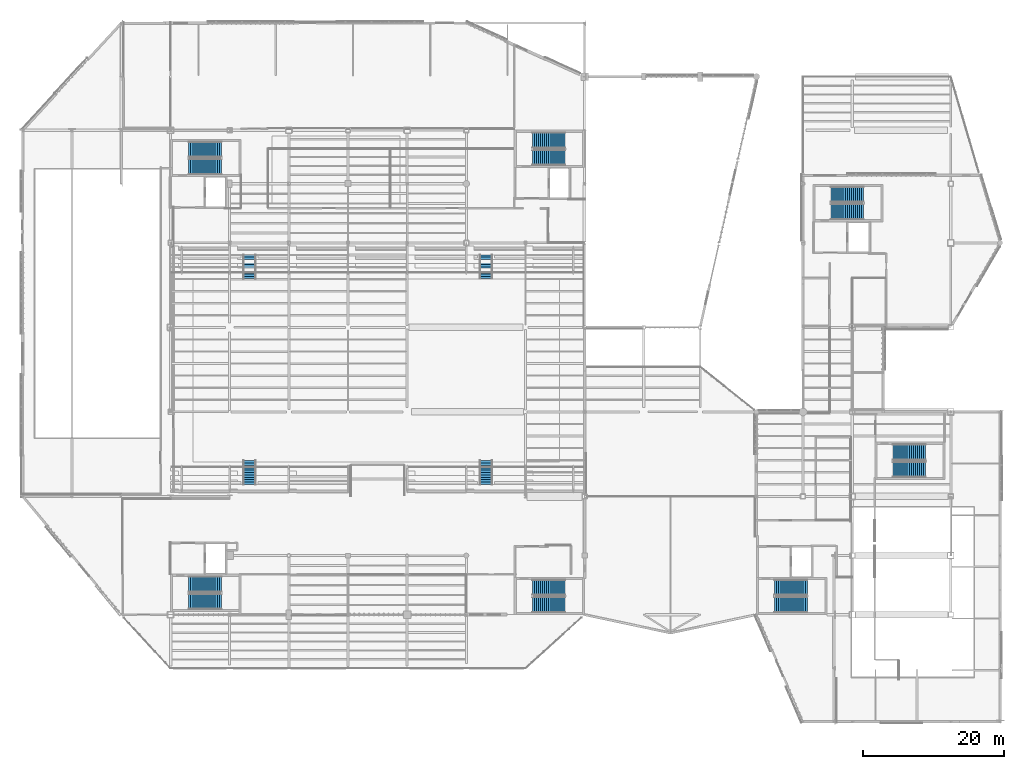
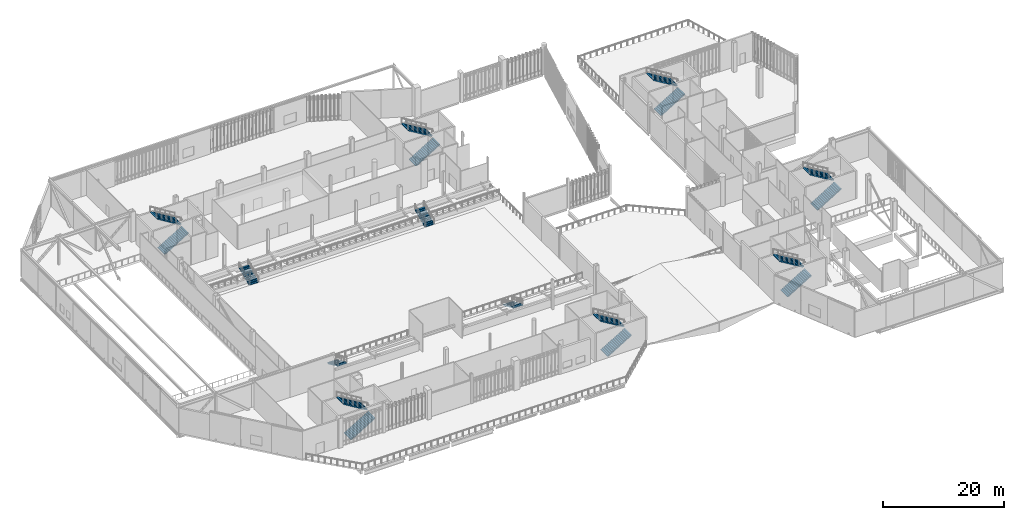
# One storey, part 115 of 135: 18 stair flights, 11 elements without a shape of their own.
"""IFC4 building model written with IfcOpenShell, lengths in metres."""

import ifcopenshell
import ifcopenshell.guid

model = None  # the IFC model being written
_history = None  # IfcOwnerHistory: only IFC2X3 demands one
_inside = {}  # id of a spatial element -> (the spatial element, [elements in it])
_under = {}  # id of a project, library or spatial element -> (it, [spatial elements below it])
_declared = {}  # id of a project -> (the project, [libraries it declares])
_typed = {}  # id of a type object -> (the type object, [elements of that type])
_made_of = {}  # id of a material, layer set ... -> (it, [elements and type objects made of it])


def new_model(schema):
    """Start an empty IFC model of exactly this schema.

    Asked for "IFC4X3", IfcOpenShell would pick the latest addendum, in which some entities
    have other attributes; the version numbers below select the first issue.
    IFC2X3 requires an IfcOwnerHistory on every rooted entity: one is made here for all.
    """
    global model, _history
    if schema == "IFC4X3":
        model = ifcopenshell.file(schema_version=(4, 3, 0, 0))
    else:
        model = ifcopenshell.file(schema=schema)
    _inside.clear()
    _under.clear()
    _declared.clear()
    _typed.clear()
    _made_of.clear()
    _history = None
    if model.schema == "IFC2X3":
        org = make("IfcOrganization", Name="unknown")
        user = make(
            "IfcPersonAndOrganization",
            ThePerson=make("IfcPerson", FamilyName="unknown"),
            TheOrganization=org,
        )
        app = make(
            "IfcApplication",
            ApplicationDeveloper=org,
            Version="unknown",
            ApplicationFullName="unknown",
            ApplicationIdentifier="unknown",
        )
        _history = make(
            "IfcOwnerHistory",
            OwningUser=user,
            OwningApplication=app,
            ChangeAction="ADDED",
            CreationDate=0,
        )
    return model


def make(cls, **values):
    """One entity of the class cls with the attributes given. An attribute that is None is left unset."""
    return model.create_entity(
        cls, **{name: value for name, value in values.items() if value is not None}
    )


def rooted(cls, **values):
    """An entity with a GlobalId (a new one), such as an element, a storey or a relation."""
    return make(cls, GlobalId=ifcopenshell.guid.new(), OwnerHistory=_history, **values)


def si_unit(unit_type, name, prefix=None):
    """IfcSIUnit, for example si_unit("LENGTHUNIT", "METRE", prefix="MILLI")."""
    return make("IfcSIUnit", UnitType=unit_type, Prefix=prefix, Name=name)


def assignment(units):
    """IfcUnitAssignment: the units of a project."""
    return None if units is None else make("IfcUnitAssignment", Units=units)


def point(xyz):
    """IfcCartesianPoint."""
    return None if xyz is None else make("IfcCartesianPoint", Coordinates=xyz)


def direction(xyz):
    """IfcDirection."""
    return None if xyz is None else make("IfcDirection", DirectionRatios=xyz)


def frame(location, z_axis=None, x_axis=None):
    """IfcAxis2Placement3D, a coordinate frame: its origin and axes. An axis left out is left unset."""
    return make(
        "IfcAxis2Placement3D",
        Location=point(location),
        Axis=direction(z_axis),
        RefDirection=direction(x_axis),
    )


def origin():
    """The frame at (0, 0, 0) with its axes left unset."""
    return frame((0.0, 0.0, 0.0))


def place(relative_to, where):
    """IfcLocalPlacement: puts the frame where relative to a parent placement (None: the world)."""
    return make(
        "IfcLocalPlacement", PlacementRelTo=relative_to, RelativePlacement=where
    )


def context(
    kind, dimensions, precision=None, world=None, true_north=None, identifier=None
):
    """IfcGeometricRepresentationContext, for example the 3D "Model" context."""
    return make(
        "IfcGeometricRepresentationContext",
        ContextIdentifier=identifier,
        ContextType=kind,
        CoordinateSpaceDimension=dimensions,
        Precision=precision,
        WorldCoordinateSystem=world,
        TrueNorth=true_north,
    )


def subcontext(parent, identifier, kind, view, scale=None):
    """IfcGeometricRepresentationSubContext, for example "Body" below "Model"."""
    return make(
        "IfcGeometricRepresentationSubContext",
        ContextIdentifier=identifier,
        ContextType=kind,
        ParentContext=parent,
        TargetScale=scale,
        TargetView=view,
    )


def project(units=None, contexts=None):
    """IfcProject with its units and contexts."""
    return rooted(
        "IfcProject",
        Name="project",
        RepresentationContexts=contexts,
        UnitsInContext=assignment(units),
    )


def spatial(cls, under=None, at=None, **own):
    """A site, building, storey or space (cls), placed at a placement, below another one or the project."""
    s = rooted(cls, ObjectPlacement=at, **own)
    if under is not None:
        _under.setdefault(under.id(), (under, []))[1].append(s)
    return s


def polyline(points):
    """IfcPolyline through the points."""
    return make("IfcPolyline", Points=[point(p) for p in points])


def outline(outer, holes=None, kind="AREA"):
    """IfcArbitraryClosedProfileDef: a profile drawn as a closed curve; with holes, ...WithVoids."""
    if holes is None:
        return make("IfcArbitraryClosedProfileDef", ProfileType=kind, OuterCurve=outer)
    return make(
        "IfcArbitraryProfileDefWithVoids",
        ProfileType=kind,
        OuterCurve=outer,
        InnerCurves=holes,
    )


def extrude(swept, where, along, depth):
    """IfcExtrudedAreaSolid: the profile swept, set in the frame where, extruded along a direction by depth."""
    return make(
        "IfcExtrudedAreaSolid",
        SweptArea=swept,
        Position=where,
        ExtrudedDirection=direction(along),
        Depth=depth,
    )


def shape(context_of_items, identifier, shape_type, items):
    """IfcShapeRepresentation: the items that make up one representation, for example the "Body"."""
    return make(
        "IfcShapeRepresentation",
        ContextOfItems=context_of_items,
        RepresentationIdentifier=identifier,
        RepresentationType=shape_type,
        Items=items,
    )


def material(Name=None, Category=None):
    """IfcMaterial."""
    return make("IfcMaterial", Name=Name, Category=Category)


def made_of(thing, what):
    """Note that an element or type object is made of a material, layer set ...; save() writes the relation."""
    if what is not None:
        _made_of.setdefault(what.id(), (what, []))[1].append(thing)
    return thing


def type_object(cls, material=None, **own):
    """A type object (cls), such as IfcWallType, which elements share."""
    return made_of(rooted(cls, **own), material)


def element(
    cls,
    number,
    at=None,
    inside=None,
    cuts=None,
    type_object=None,
    material=None,
    context=None,
    identifier="Body",
    shape_type=None,
    held_by="IfcProductDefinitionShape",
    body=None,
    shapes=None,
    **own,
):
    """One element of the class cls, such as IfcWall. Its Tag is "e" and its number.

    at: its placement. inside: the storey or other place that contains it. cuts: it is an
    opening in that element (IfcRelVoidsElement). A single representation is given by context,
    identifier, shape_type and body (its items); several are given by shapes. held_by: the class
    of the entity that holds the representations. save() writes the other relations.
    """
    e = rooted(cls, Tag="e%d" % number, ObjectPlacement=at, **own)
    if body is not None:
        shapes = [shape(context, identifier, shape_type, body)]
    if shapes is not None:
        e.Representation = make(held_by, Representations=shapes)
    if inside is not None:
        _inside.setdefault(inside.id(), (inside, []))[1].append(e)
    if cuts is not None:
        rooted(
            "IfcRelVoidsElement", RelatingBuildingElement=cuts, RelatedOpeningElement=e
        )
    if type_object is not None:
        _typed.setdefault(type_object.id(), (type_object, []))[1].append(e)
    return made_of(e, material)


def aggregate(whole, parts):
    """IfcRelAggregates: a whole, such as a stair, and the parts it consists of."""
    return rooted("IfcRelAggregates", RelatingObject=whole, RelatedObjects=parts)


def save(model, path):
    """Write the relations noted so far, then the file.

    IfcRelAggregates (storeys below a building ...), IfcRelContainedInSpatialStructure (elements
    in a storey), IfcRelDefinesByType, IfcRelAssociatesMaterial and IfcRelDeclares: one each for
    every whole, place, type object, material and project.
    """
    for whole, parts in _under.values():
        aggregate(whole, parts)
    for where, things in _inside.values():
        rooted(
            "IfcRelContainedInSpatialStructure",
            RelatedElements=things,
            RelatingStructure=where,
        )
    for kind, things in _typed.values():
        rooted("IfcRelDefinesByType", RelatedObjects=things, RelatingType=kind)
    for what, things in _made_of.values():
        rooted("IfcRelAssociatesMaterial", RelatedObjects=things, RelatingMaterial=what)
    for by, libraries in _declared.values():
        rooted("IfcRelDeclares", RelatingContext=by, RelatedDefinitions=libraries)
    model.write(path)


model = new_model("IFC4")

# Units and contexts
model_context = context("Model", 3, precision=1e-05, world=origin(), true_north=direction((0.0, 1.0)))
body_context = subcontext(model_context, "Body", "Model", "MODEL_VIEW")
ifc_project = project(units=[si_unit("LENGTHUNIT", "METRE"), si_unit("AREAUNIT", "SQUARE_METRE"), si_unit("VOLUMEUNIT", "CUBIC_METRE"), si_unit("PLANEANGLEUNIT", "RADIAN"), si_unit("MASSUNIT", "GRAM", prefix="KILO")], contexts=[model_context])

# Site, building, storey
site_placement = place(None, origin())
site = spatial("IfcSite", under=ifc_project, at=site_placement, CompositionType="ELEMENT")
building_placement = place(site_placement, origin())
building = spatial("IfcBuilding", under=site, at=building_placement, Name="Larkvane Passage Sports Hall", CompositionType="ELEMENT")
storey_placement = place(building_placement, frame((0.0, 0.0, 10.800048828125)))
storey = spatial("IfcBuildingStorey", under=building, at=storey_placement, Name="L02", CompositionType="ELEMENT", Elevation=10.800048828125)

# Stair, stair flight
ifc_material = material(Name="Concrete C40/50", Category="concrete")
stair_type_1 = type_object("IfcStairType", Name="STR-BLEACH-1800", PredefinedType="STRAIGHT_RUN_STAIR", material=ifc_material)
stair_1_placement = place(storey_placement, origin())
stair_1 = element("IfcStair", 1, at=stair_1_placement, inside=storey, type_object=stair_type_1, Name="Arena spectator stepped aisle stair ST-B1", PredefinedType="STRAIGHT_RUN_STAIR")
stair_flight_type_1 = type_object("IfcStairFlightType", Name="SFL-RC-1800", PredefinedType="STRAIGHT", material=ifc_material)
stair_flight_1_placement = place(storey_placement, frame((46.0, 44.68994140625, 0.0), z_axis=(0.0, 0.0, 1.0), x_axis=(0.0, -1.0, 0.0)))
stair_flight_1 = element("IfcStairFlight", 2, at=stair_flight_1_placement, type_object=stair_flight_type_1, Name="ST-B1 flight 1", NumberOfRisers=11, NumberOfTreads=10, PredefinedType="STRAIGHT", RiserHeight=0.153636, TreadLength=0.34, context=body_context, shape_type="SweptSolid", body=[
    extrude(outline(polyline([(0.0, 0.0), (0.0, 0.153564453125), (0.340087890625, 0.153564453125), (0.340087890625, 0.307373046875), (0.679931640625, 0.307373046875), (0.679931640625, 0.4609375), (1.02001953125, 0.4609375), (1.02001953125, 0.614501953125), (1.360107421875, 0.614501953125), (1.360107421875, 0.76806640625), (1.699951171875, 0.76806640625), (1.699951171875, 0.921875), (2.0400390625, 0.921875), (2.0400390625, 1.075439453125), (2.3798828125, 1.075439453125), (2.3798828125, 1.22900390625), (2.719970703125, 1.22900390625), (2.719970703125, 1.3828125), (3.06005859375, 1.3828125), (3.06005859375, 1.536376953125), (3.39990234375, 1.536376953125), (3.39990234375, 1.68994140625), (3.39990234375, 1.36083984375), (0.388427734375, 0.0), (0.0, 0.0)])), frame((0.0, 0.89990234375, 0.0), z_axis=(0.0, -1.0, 0.0), x_axis=(1.0, 0.0, 0.0)), (0.0, 0.0, 1.0), 1.800048828125),
])
aggregate(stair_1, [stair_flight_1])

stair_2_placement = place(storey_placement, origin())
stair_2 = element("IfcStair", 3, at=stair_2_placement, inside=storey, type_object=stair_type_1, Name="Arena spectator stepped aisle stair ST-B2", PredefinedType="STRAIGHT_RUN_STAIR")
stair_flight_2_placement = place(storey_placement, frame((79.60009765625, 44.68994140625, 0.0), z_axis=(0.0, 0.0, 1.0), x_axis=(0.0, -1.0, 0.0)))
stair_flight_2 = element("IfcStairFlight", 4, at=stair_flight_2_placement, type_object=stair_flight_type_1, Name="ST-B2 flight 1", NumberOfRisers=11, NumberOfTreads=10, PredefinedType="STRAIGHT", RiserHeight=0.153636, TreadLength=0.34, context=body_context, shape_type="SweptSolid", body=[
    extrude(outline(polyline([(0.0, 0.0), (0.0, 0.153564453125), (0.340087890625, 0.153564453125), (0.340087890625, 0.307373046875), (0.679931640625, 0.307373046875), (0.679931640625, 0.4609375), (1.02001953125, 0.4609375), (1.02001953125, 0.614501953125), (1.360107421875, 0.614501953125), (1.360107421875, 0.76806640625), (1.699951171875, 0.76806640625), (1.699951171875, 0.921875), (2.0400390625, 0.921875), (2.0400390625, 1.075439453125), (2.3798828125, 1.075439453125), (2.3798828125, 1.22900390625), (2.719970703125, 1.22900390625), (2.719970703125, 1.3828125), (3.06005859375, 1.3828125), (3.06005859375, 1.536376953125), (3.39990234375, 1.536376953125), (3.39990234375, 1.68994140625), (3.39990234375, 1.36083984375), (0.388427734375, 0.0), (0.0, 0.0)])), frame((0.0, 0.89990234375, 0.0), z_axis=(0.0, -1.0, 0.0), x_axis=(1.0, 0.0, 0.0)), (0.0, 0.0, 1.0), 1.800048828125),
])
aggregate(stair_2, [stair_flight_2])

stair_3_placement = place(storey_placement, origin())
stair_3 = element("IfcStair", 5, at=stair_3_placement, inside=storey, type_object=stair_type_1, Name="Arena spectator stepped aisle stair ST-B3", PredefinedType="STRAIGHT_RUN_STAIR")
stair_flight_3_placement = place(storey_placement, frame((46.0, 70.510009765625, 0.0), z_axis=(0.0, 0.0, 1.0), x_axis=(0.0, 1.0, 0.0)))
stair_flight_3 = element("IfcStairFlight", 6, at=stair_flight_3_placement, type_object=stair_flight_type_1, Name="ST-B3 flight 1", NumberOfRisers=11, NumberOfTreads=10, PredefinedType="STRAIGHT", RiserHeight=0.153636, TreadLength=0.34, context=body_context, shape_type="SweptSolid", body=[
    extrude(outline(polyline([(0.0, 0.0), (0.0, 0.153564453125), (0.340087890625, 0.153564453125), (0.340087890625, 0.307373046875), (0.679931640625, 0.307373046875), (0.679931640625, 0.4609375), (1.02001953125, 0.4609375), (1.02001953125, 0.614501953125), (1.360107421875, 0.614501953125), (1.360107421875, 0.76806640625), (1.699951171875, 0.76806640625), (1.699951171875, 0.921875), (2.0400390625, 0.921875), (2.0400390625, 1.075439453125), (2.3798828125, 1.075439453125), (2.3798828125, 1.22900390625), (2.719970703125, 1.22900390625), (2.719970703125, 1.3828125), (3.06005859375, 1.3828125), (3.06005859375, 1.536376953125), (3.39990234375, 1.536376953125), (3.39990234375, 1.68994140625), (3.39990234375, 1.36083984375), (0.388427734375, 0.0), (0.0, 0.0)])), frame((0.0, 0.89990234375, 0.0), z_axis=(0.0, -1.0, 0.0), x_axis=(1.0, 0.0, 0.0)), (0.0, 0.0, 1.0), 1.800048828125),
])
aggregate(stair_3, [stair_flight_3])

stair_4_placement = place(storey_placement, origin())
stair_4 = element("IfcStair", 7, at=stair_4_placement, inside=storey, type_object=stair_type_1, Name="Arena spectator stepped aisle stair ST-B4", PredefinedType="STRAIGHT_RUN_STAIR")
stair_flight_4_placement = place(storey_placement, frame((79.60009765625, 70.510009765625, 0.0), z_axis=(0.0, 0.0, 1.0), x_axis=(0.0, 1.0, 0.0)))
stair_flight_4 = element("IfcStairFlight", 8, at=stair_flight_4_placement, type_object=stair_flight_type_1, Name="ST-B4 flight 1", NumberOfRisers=11, NumberOfTreads=10, PredefinedType="STRAIGHT", RiserHeight=0.153636, TreadLength=0.34, context=body_context, shape_type="SweptSolid", body=[
    extrude(outline(polyline([(0.0, 0.0), (0.0, 0.153564453125), (0.340087890625, 0.153564453125), (0.340087890625, 0.307373046875), (0.679931640625, 0.307373046875), (0.679931640625, 0.4609375), (1.02001953125, 0.4609375), (1.02001953125, 0.614501953125), (1.360107421875, 0.614501953125), (1.360107421875, 0.76806640625), (1.699951171875, 0.76806640625), (1.699951171875, 0.921875), (2.0400390625, 0.921875), (2.0400390625, 1.075439453125), (2.3798828125, 1.075439453125), (2.3798828125, 1.22900390625), (2.719970703125, 1.22900390625), (2.719970703125, 1.3828125), (3.06005859375, 1.3828125), (3.06005859375, 1.536376953125), (3.39990234375, 1.536376953125), (3.39990234375, 1.68994140625), (3.39990234375, 1.36083984375), (0.388427734375, 0.0), (0.0, 0.0)])), frame((0.0, 0.89990234375, 0.0), z_axis=(0.0, -1.0, 0.0), x_axis=(1.0, 0.0, 0.0)), (0.0, 0.0, 1.0), 1.800048828125),
])
aggregate(stair_4, [stair_flight_4])

# Stair, stair flights
stair_type_2 = type_object("IfcStairType", Name="STR-CORE-2250", PredefinedType="HALF_TURN_STAIR", material=ifc_material)
stair_5_placement = place(storey_placement, origin())
stair_5 = element("IfcStair", 9, at=stair_5_placement, inside=storey, type_object=stair_type_2, Name="L02 Protected exit stair ST-01", PredefinedType="HALF_TURN_STAIR")
stair_flight_type_2 = type_object("IfcStairFlightType", Name="SFL-RC-2250", PredefinedType="STRAIGHT", material=ifc_material)
stair_flight_5_placement = place(storey_placement, frame((37.3798828125, 24.675048828125, 0.0), z_axis=(0.0, 0.0, 1.0), x_axis=(1.0, 0.0, 0.0)))
stair_flight_5 = element("IfcStairFlight", 10, at=stair_flight_5_placement, type_object=stair_flight_type_2, Name="ST-01 flight 1", NumberOfRisers=17, NumberOfTreads=16, PredefinedType="STRAIGHT", RiserHeight=0.176470588, TreadLength=0.29, context=body_context, shape_type="SweptSolid", body=[
    extrude(outline(polyline([(0.0, 0.0), (0.0, 0.176513671875), (0.2900390625, 0.176513671875), (0.2900390625, 0.35302734375), (0.580078125, 0.35302734375), (0.580078125, 0.529296875), (0.8701171875, 0.529296875), (0.8701171875, 0.705810546875), (1.159912109375, 0.705810546875), (1.159912109375, 0.88232421875), (1.449951171875, 0.88232421875), (1.449951171875, 1.058837890625), (1.739990234375, 1.058837890625), (1.739990234375, 1.2353515625), (2.030029296875, 1.2353515625), (2.030029296875, 1.411865234375), (2.320068359375, 1.411865234375), (2.320068359375, 1.588134765625), (2.610107421875, 1.588134765625), (2.610107421875, 1.7646484375), (2.89990234375, 1.7646484375), (2.89990234375, 1.941162109375), (3.18994140625, 1.941162109375), (3.18994140625, 2.11767578125), (3.47998046875, 2.11767578125), (3.47998046875, 2.294189453125), (3.77001953125, 2.294189453125), (3.77001953125, 2.470703125), (4.06005859375, 2.470703125), (4.06005859375, 2.64697265625), (4.35009765625, 2.64697265625), (4.35009765625, 2.823486328125), (4.639892578125, 2.823486328125), (4.639892578125, 3.0), (4.639892578125, 2.63623046875), (0.3076171875, 0.0), (0.0, 0.0)])), frame((0.0, 1.125, 0.0), z_axis=(0.0, -1.0, 0.0), x_axis=(1.0, 0.0, 0.0)), (0.0, 0.0, 1.0), 2.25),
])
stair_flight_6_placement = place(storey_placement, frame((42.02001953125, 27.125, 3.0), z_axis=(0.0, 0.0, 1.0), x_axis=(-1.0, 0.0, 0.0)))
stair_flight_6 = element("IfcStairFlight", 11, at=stair_flight_6_placement, type_object=stair_flight_type_2, Name="ST-01 flight 2", NumberOfRisers=17, NumberOfTreads=16, PredefinedType="STRAIGHT", RiserHeight=0.176470588, TreadLength=0.29, context=body_context, shape_type="SweptSolid", body=[
    extrude(outline(polyline([(0.0, 0.0), (0.0, 0.176513671875), (0.2900390625, 0.176513671875), (0.2900390625, 0.35302734375), (0.580078125, 0.35302734375), (0.580078125, 0.529296875), (0.8701171875, 0.529296875), (0.8701171875, 0.705810546875), (1.159912109375, 0.705810546875), (1.159912109375, 0.88232421875), (1.449951171875, 0.88232421875), (1.449951171875, 1.058837890625), (1.739990234375, 1.058837890625), (1.739990234375, 1.2353515625), (2.030029296875, 1.2353515625), (2.030029296875, 1.411865234375), (2.320068359375, 1.411865234375), (2.320068359375, 1.588134765625), (2.610107421875, 1.588134765625), (2.610107421875, 1.7646484375), (2.89990234375, 1.7646484375), (2.89990234375, 1.941162109375), (3.18994140625, 1.941162109375), (3.18994140625, 2.11767578125), (3.47998046875, 2.11767578125), (3.47998046875, 2.294189453125), (3.77001953125, 2.294189453125), (3.77001953125, 2.470703125), (4.06005859375, 2.470703125), (4.06005859375, 2.64697265625), (4.35009765625, 2.64697265625), (4.35009765625, 2.823486328125), (4.639892578125, 2.823486328125), (4.639892578125, 3.0), (4.639892578125, 2.63623046875), (0.3076171875, 0.0), (0.0, 0.0)])), frame((0.0, 1.125, 0.0), z_axis=(0.0, -1.0, 0.0), x_axis=(1.0, 0.0, 0.0)), (0.0, 0.0, 1.0), 2.25),
])
aggregate(stair_5, [stair_flight_5, stair_flight_6])

stair_6_placement = place(storey_placement, origin())
stair_6 = element("IfcStair", 12, at=stair_6_placement, inside=storey, type_object=stair_type_2, Name="L02 Protected exit stair ST-02", PredefinedType="HALF_TURN_STAIR")
stair_flight_7_placement = place(storey_placement, frame((37.3798828125, 86.425048828125, 0.0), z_axis=(0.0, 0.0, 1.0), x_axis=(1.0, 0.0, 0.0)))
stair_flight_7 = element("IfcStairFlight", 13, at=stair_flight_7_placement, type_object=stair_flight_type_2, Name="ST-02 flight 1", NumberOfRisers=17, NumberOfTreads=16, PredefinedType="STRAIGHT", RiserHeight=0.176470588, TreadLength=0.29, context=body_context, shape_type="SweptSolid", body=[
    extrude(outline(polyline([(0.0, 0.0), (0.0, 0.176513671875), (0.2900390625, 0.176513671875), (0.2900390625, 0.35302734375), (0.580078125, 0.35302734375), (0.580078125, 0.529296875), (0.8701171875, 0.529296875), (0.8701171875, 0.705810546875), (1.159912109375, 0.705810546875), (1.159912109375, 0.88232421875), (1.449951171875, 0.88232421875), (1.449951171875, 1.058837890625), (1.739990234375, 1.058837890625), (1.739990234375, 1.2353515625), (2.030029296875, 1.2353515625), (2.030029296875, 1.411865234375), (2.320068359375, 1.411865234375), (2.320068359375, 1.588134765625), (2.610107421875, 1.588134765625), (2.610107421875, 1.7646484375), (2.89990234375, 1.7646484375), (2.89990234375, 1.941162109375), (3.18994140625, 1.941162109375), (3.18994140625, 2.11767578125), (3.47998046875, 2.11767578125), (3.47998046875, 2.294189453125), (3.77001953125, 2.294189453125), (3.77001953125, 2.470703125), (4.06005859375, 2.470703125), (4.06005859375, 2.64697265625), (4.35009765625, 2.64697265625), (4.35009765625, 2.823486328125), (4.639892578125, 2.823486328125), (4.639892578125, 3.0), (4.639892578125, 2.63623046875), (0.3076171875, 0.0), (0.0, 0.0)])), frame((0.0, 1.125, 0.0), z_axis=(0.0, -1.0, 0.0), x_axis=(1.0, 0.0, 0.0)), (0.0, 0.0, 1.0), 2.25),
])
stair_flight_8_placement = place(storey_placement, frame((42.02001953125, 88.875, 3.0), z_axis=(0.0, 0.0, 1.0), x_axis=(-1.0, 0.0, 0.0)))
stair_flight_8 = element("IfcStairFlight", 14, at=stair_flight_8_placement, type_object=stair_flight_type_2, Name="ST-02 flight 2", NumberOfRisers=17, NumberOfTreads=16, PredefinedType="STRAIGHT", RiserHeight=0.176470588, TreadLength=0.29, context=body_context, shape_type="SweptSolid", body=[
    extrude(outline(polyline([(0.0, 0.0), (0.0, 0.176513671875), (0.2900390625, 0.176513671875), (0.2900390625, 0.35302734375), (0.580078125, 0.35302734375), (0.580078125, 0.529296875), (0.8701171875, 0.529296875), (0.8701171875, 0.705810546875), (1.159912109375, 0.705810546875), (1.159912109375, 0.88232421875), (1.449951171875, 0.88232421875), (1.449951171875, 1.058837890625), (1.739990234375, 1.058837890625), (1.739990234375, 1.2353515625), (2.030029296875, 1.2353515625), (2.030029296875, 1.411865234375), (2.320068359375, 1.411865234375), (2.320068359375, 1.588134765625), (2.610107421875, 1.588134765625), (2.610107421875, 1.7646484375), (2.89990234375, 1.7646484375), (2.89990234375, 1.941162109375), (3.18994140625, 1.941162109375), (3.18994140625, 2.11767578125), (3.47998046875, 2.11767578125), (3.47998046875, 2.294189453125), (3.77001953125, 2.294189453125), (3.77001953125, 2.470703125), (4.06005859375, 2.470703125), (4.06005859375, 2.64697265625), (4.35009765625, 2.64697265625), (4.35009765625, 2.823486328125), (4.639892578125, 2.823486328125), (4.639892578125, 3.0), (4.639892578125, 2.63623046875), (0.3076171875, 0.0), (0.0, 0.0)])), frame((0.0, 1.125, 0.0), z_axis=(0.0, -1.0, 0.0), x_axis=(1.0, 0.0, 0.0)), (0.0, 0.0, 1.0), 2.25),
])
aggregate(stair_6, [stair_flight_7, stair_flight_8])

stair_7_placement = place(storey_placement, origin())
stair_7 = element("IfcStair", 15, at=stair_7_placement, inside=storey, type_object=stair_type_2, Name="L02 Protected exit stair ST-03", PredefinedType="HALF_TURN_STAIR")
stair_flight_9_placement = place(storey_placement, frame((86.179931640625, 87.72509765625, 0.0), z_axis=(0.0, 0.0, 1.0), x_axis=(1.0, 0.0, 0.0)))
stair_flight_9 = element("IfcStairFlight", 16, at=stair_flight_9_placement, type_object=stair_flight_type_2, Name="ST-03 flight 1", NumberOfRisers=17, NumberOfTreads=16, PredefinedType="STRAIGHT", RiserHeight=0.176470588, TreadLength=0.29, context=body_context, shape_type="SweptSolid", body=[
    extrude(outline(polyline([(0.0, 0.0), (0.0, 0.176513671875), (0.2900390625, 0.176513671875), (0.2900390625, 0.35302734375), (0.580078125, 0.35302734375), (0.580078125, 0.529296875), (0.8701171875, 0.529296875), (0.8701171875, 0.705810546875), (1.159912109375, 0.705810546875), (1.159912109375, 0.88232421875), (1.449951171875, 0.88232421875), (1.449951171875, 1.058837890625), (1.739990234375, 1.058837890625), (1.739990234375, 1.2353515625), (2.030029296875, 1.2353515625), (2.030029296875, 1.411865234375), (2.320068359375, 1.411865234375), (2.320068359375, 1.588134765625), (2.610107421875, 1.588134765625), (2.610107421875, 1.7646484375), (2.89990234375, 1.7646484375), (2.89990234375, 1.941162109375), (3.18994140625, 1.941162109375), (3.18994140625, 2.11767578125), (3.47998046875, 2.11767578125), (3.47998046875, 2.294189453125), (3.77001953125, 2.294189453125), (3.77001953125, 2.470703125), (4.06005859375, 2.470703125), (4.06005859375, 2.64697265625), (4.35009765625, 2.64697265625), (4.35009765625, 2.823486328125), (4.639892578125, 2.823486328125), (4.639892578125, 3.0), (4.639892578125, 2.63623046875), (0.3076171875, 0.0), (0.0, 0.0)])), frame((0.0, 1.125, 0.0), z_axis=(0.0, -1.0, 0.0), x_axis=(1.0, 0.0, 0.0)), (0.0, 0.0, 1.0), 2.25),
])
stair_flight_10_placement = place(storey_placement, frame((90.820068359375, 90.175048828125, 3.0), z_axis=(0.0, 0.0, 1.0), x_axis=(-1.0, 0.0, 0.0)))
stair_flight_10 = element("IfcStairFlight", 17, at=stair_flight_10_placement, type_object=stair_flight_type_2, Name="ST-03 flight 2", NumberOfRisers=17, NumberOfTreads=16, PredefinedType="STRAIGHT", RiserHeight=0.176470588, TreadLength=0.29, context=body_context, shape_type="SweptSolid", body=[
    extrude(outline(polyline([(0.0, 0.0), (0.0, 0.176513671875), (0.2900390625, 0.176513671875), (0.2900390625, 0.35302734375), (0.580078125, 0.35302734375), (0.580078125, 0.529296875), (0.8701171875, 0.529296875), (0.8701171875, 0.705810546875), (1.159912109375, 0.705810546875), (1.159912109375, 0.88232421875), (1.449951171875, 0.88232421875), (1.449951171875, 1.058837890625), (1.739990234375, 1.058837890625), (1.739990234375, 1.2353515625), (2.030029296875, 1.2353515625), (2.030029296875, 1.411865234375), (2.320068359375, 1.411865234375), (2.320068359375, 1.588134765625), (2.610107421875, 1.588134765625), (2.610107421875, 1.7646484375), (2.89990234375, 1.7646484375), (2.89990234375, 1.941162109375), (3.18994140625, 1.941162109375), (3.18994140625, 2.11767578125), (3.47998046875, 2.11767578125), (3.47998046875, 2.294189453125), (3.77001953125, 2.294189453125), (3.77001953125, 2.470703125), (4.06005859375, 2.470703125), (4.06005859375, 2.64697265625), (4.35009765625, 2.64697265625), (4.35009765625, 2.823486328125), (4.639892578125, 2.823486328125), (4.639892578125, 3.0), (4.639892578125, 2.63623046875), (0.3076171875, 0.0), (0.0, 0.0)])), frame((0.0, 1.125, 0.0), z_axis=(0.0, -1.0, 0.0), x_axis=(1.0, 0.0, 0.0)), (0.0, 0.0, 1.0), 2.25),
])
aggregate(stair_7, [stair_flight_9, stair_flight_10])

stair_8_placement = place(storey_placement, origin())
stair_8 = element("IfcStair", 18, at=stair_8_placement, inside=storey, type_object=stair_type_2, Name="L02 Protected exit stair ST-04", PredefinedType="HALF_TURN_STAIR")
stair_flight_11_placement = place(storey_placement, frame((86.179931640625, 24.22509765625, 0.0), z_axis=(0.0, 0.0, 1.0), x_axis=(1.0, 0.0, 0.0)))
stair_flight_11 = element("IfcStairFlight", 19, at=stair_flight_11_placement, type_object=stair_flight_type_2, Name="ST-04 flight 1", NumberOfRisers=17, NumberOfTreads=16, PredefinedType="STRAIGHT", RiserHeight=0.176470588, TreadLength=0.29, context=body_context, shape_type="SweptSolid", body=[
    extrude(outline(polyline([(0.0, 0.0), (0.0, 0.176513671875), (0.2900390625, 0.176513671875), (0.2900390625, 0.35302734375), (0.580078125, 0.35302734375), (0.580078125, 0.529296875), (0.8701171875, 0.529296875), (0.8701171875, 0.705810546875), (1.159912109375, 0.705810546875), (1.159912109375, 0.88232421875), (1.449951171875, 0.88232421875), (1.449951171875, 1.058837890625), (1.739990234375, 1.058837890625), (1.739990234375, 1.2353515625), (2.030029296875, 1.2353515625), (2.030029296875, 1.411865234375), (2.320068359375, 1.411865234375), (2.320068359375, 1.588134765625), (2.610107421875, 1.588134765625), (2.610107421875, 1.7646484375), (2.89990234375, 1.7646484375), (2.89990234375, 1.941162109375), (3.18994140625, 1.941162109375), (3.18994140625, 2.11767578125), (3.47998046875, 2.11767578125), (3.47998046875, 2.294189453125), (3.77001953125, 2.294189453125), (3.77001953125, 2.470703125), (4.06005859375, 2.470703125), (4.06005859375, 2.64697265625), (4.35009765625, 2.64697265625), (4.35009765625, 2.823486328125), (4.639892578125, 2.823486328125), (4.639892578125, 3.0), (4.639892578125, 2.63623046875), (0.3076171875, 0.0), (0.0, 0.0)])), frame((0.0, 1.125, 0.0), z_axis=(0.0, -1.0, 0.0), x_axis=(1.0, 0.0, 0.0)), (0.0, 0.0, 1.0), 2.25),
])
stair_flight_12_placement = place(storey_placement, frame((90.820068359375, 26.675048828125, 3.0), z_axis=(0.0, 0.0, 1.0), x_axis=(-1.0, 0.0, 0.0)))
stair_flight_12 = element("IfcStairFlight", 20, at=stair_flight_12_placement, type_object=stair_flight_type_2, Name="ST-04 flight 2", NumberOfRisers=17, NumberOfTreads=16, PredefinedType="STRAIGHT", RiserHeight=0.176470588, TreadLength=0.29, context=body_context, shape_type="SweptSolid", body=[
    extrude(outline(polyline([(0.0, 0.0), (0.0, 0.176513671875), (0.2900390625, 0.176513671875), (0.2900390625, 0.35302734375), (0.580078125, 0.35302734375), (0.580078125, 0.529296875), (0.8701171875, 0.529296875), (0.8701171875, 0.705810546875), (1.159912109375, 0.705810546875), (1.159912109375, 0.88232421875), (1.449951171875, 0.88232421875), (1.449951171875, 1.058837890625), (1.739990234375, 1.058837890625), (1.739990234375, 1.2353515625), (2.030029296875, 1.2353515625), (2.030029296875, 1.411865234375), (2.320068359375, 1.411865234375), (2.320068359375, 1.588134765625), (2.610107421875, 1.588134765625), (2.610107421875, 1.7646484375), (2.89990234375, 1.7646484375), (2.89990234375, 1.941162109375), (3.18994140625, 1.941162109375), (3.18994140625, 2.11767578125), (3.47998046875, 2.11767578125), (3.47998046875, 2.294189453125), (3.77001953125, 2.294189453125), (3.77001953125, 2.470703125), (4.06005859375, 2.470703125), (4.06005859375, 2.64697265625), (4.35009765625, 2.64697265625), (4.35009765625, 2.823486328125), (4.639892578125, 2.823486328125), (4.639892578125, 3.0), (4.639892578125, 2.63623046875), (0.3076171875, 0.0), (0.0, 0.0)])), frame((0.0, 1.125, 0.0), z_axis=(0.0, -1.0, 0.0), x_axis=(1.0, 0.0, 0.0)), (0.0, 0.0, 1.0), 2.25),
])
aggregate(stair_8, [stair_flight_11, stair_flight_12])

stair_9_placement = place(storey_placement, origin())
stair_9 = element("IfcStair", 21, at=stair_9_placement, inside=storey, type_object=stair_type_2, Name="L02 Protected exit stair ST-05", PredefinedType="HALF_TURN_STAIR")
stair_flight_13_placement = place(storey_placement, frame((120.580078125, 24.22509765625, 0.0), z_axis=(0.0, 0.0, 1.0), x_axis=(1.0, 0.0, 0.0)))
stair_flight_13 = element("IfcStairFlight", 22, at=stair_flight_13_placement, type_object=stair_flight_type_2, Name="ST-05 flight 1", NumberOfRisers=17, NumberOfTreads=16, PredefinedType="STRAIGHT", RiserHeight=0.176470588, TreadLength=0.29, context=body_context, shape_type="SweptSolid", body=[
    extrude(outline(polyline([(0.0, 0.0), (0.0, 0.176513671875), (0.2900390625, 0.176513671875), (0.2900390625, 0.35302734375), (0.580078125, 0.35302734375), (0.580078125, 0.529296875), (0.8701171875, 0.529296875), (0.8701171875, 0.705810546875), (1.159912109375, 0.705810546875), (1.159912109375, 0.88232421875), (1.449951171875, 0.88232421875), (1.449951171875, 1.058837890625), (1.739990234375, 1.058837890625), (1.739990234375, 1.2353515625), (2.030029296875, 1.2353515625), (2.030029296875, 1.411865234375), (2.320068359375, 1.411865234375), (2.320068359375, 1.588134765625), (2.610107421875, 1.588134765625), (2.610107421875, 1.7646484375), (2.89990234375, 1.7646484375), (2.89990234375, 1.941162109375), (3.18994140625, 1.941162109375), (3.18994140625, 2.11767578125), (3.47998046875, 2.11767578125), (3.47998046875, 2.294189453125), (3.77001953125, 2.294189453125), (3.77001953125, 2.470703125), (4.06005859375, 2.470703125), (4.06005859375, 2.64697265625), (4.35009765625, 2.64697265625), (4.35009765625, 2.823486328125), (4.639892578125, 2.823486328125), (4.639892578125, 3.0), (4.639892578125, 2.63623046875), (0.3076171875, 0.0), (0.0, 0.0)])), frame((0.0, 1.125, 0.0), z_axis=(0.0, -1.0, 0.0), x_axis=(1.0, 0.0, 0.0)), (0.0, 0.0, 1.0), 2.25),
])
stair_flight_14_placement = place(storey_placement, frame((125.219970703125, 26.675048828125, 3.0), z_axis=(0.0, 0.0, 1.0), x_axis=(-1.0, 0.0, 0.0)))
stair_flight_14 = element("IfcStairFlight", 23, at=stair_flight_14_placement, type_object=stair_flight_type_2, Name="ST-05 flight 2", NumberOfRisers=17, NumberOfTreads=16, PredefinedType="STRAIGHT", RiserHeight=0.176470588, TreadLength=0.29, context=body_context, shape_type="SweptSolid", body=[
    extrude(outline(polyline([(0.0, 0.0), (0.0, 0.176513671875), (0.2900390625, 0.176513671875), (0.2900390625, 0.35302734375), (0.580078125, 0.35302734375), (0.580078125, 0.529296875), (0.8701171875, 0.529296875), (0.8701171875, 0.705810546875), (1.159912109375, 0.705810546875), (1.159912109375, 0.88232421875), (1.449951171875, 0.88232421875), (1.449951171875, 1.058837890625), (1.739990234375, 1.058837890625), (1.739990234375, 1.2353515625), (2.030029296875, 1.2353515625), (2.030029296875, 1.411865234375), (2.320068359375, 1.411865234375), (2.320068359375, 1.588134765625), (2.610107421875, 1.588134765625), (2.610107421875, 1.7646484375), (2.89990234375, 1.7646484375), (2.89990234375, 1.941162109375), (3.18994140625, 1.941162109375), (3.18994140625, 2.11767578125), (3.47998046875, 2.11767578125), (3.47998046875, 2.294189453125), (3.77001953125, 2.294189453125), (3.77001953125, 2.470703125), (4.06005859375, 2.470703125), (4.06005859375, 2.64697265625), (4.35009765625, 2.64697265625), (4.35009765625, 2.823486328125), (4.639892578125, 2.823486328125), (4.639892578125, 3.0), (4.639892578125, 2.63623046875), (0.3076171875, 0.0), (0.0, 0.0)])), frame((0.0, 1.125, 0.0), z_axis=(0.0, -1.0, 0.0), x_axis=(1.0, 0.0, 0.0)), (0.0, 0.0, 1.0), 2.25),
])
aggregate(stair_9, [stair_flight_13, stair_flight_14])

stair_10_placement = place(storey_placement, origin())
stair_10 = element("IfcStair", 24, at=stair_10_placement, inside=storey, type_object=stair_type_2, Name="L02 Protected exit stair ST-06", PredefinedType="HALF_TURN_STAIR")
stair_flight_15_placement = place(storey_placement, frame((128.580078125, 80.02490234375, 0.0), z_axis=(0.0, 0.0, 1.0), x_axis=(1.0, 0.0, 0.0)))
stair_flight_15 = element("IfcStairFlight", 25, at=stair_flight_15_placement, type_object=stair_flight_type_2, Name="ST-06 flight 1", NumberOfRisers=17, NumberOfTreads=16, PredefinedType="STRAIGHT", RiserHeight=0.176470588, TreadLength=0.29, context=body_context, shape_type="SweptSolid", body=[
    extrude(outline(polyline([(0.0, 0.0), (0.0, 0.176513671875), (0.2900390625, 0.176513671875), (0.2900390625, 0.35302734375), (0.580078125, 0.35302734375), (0.580078125, 0.529296875), (0.8701171875, 0.529296875), (0.8701171875, 0.705810546875), (1.159912109375, 0.705810546875), (1.159912109375, 0.88232421875), (1.449951171875, 0.88232421875), (1.449951171875, 1.058837890625), (1.739990234375, 1.058837890625), (1.739990234375, 1.2353515625), (2.030029296875, 1.2353515625), (2.030029296875, 1.411865234375), (2.320068359375, 1.411865234375), (2.320068359375, 1.588134765625), (2.610107421875, 1.588134765625), (2.610107421875, 1.7646484375), (2.89990234375, 1.7646484375), (2.89990234375, 1.941162109375), (3.18994140625, 1.941162109375), (3.18994140625, 2.11767578125), (3.47998046875, 2.11767578125), (3.47998046875, 2.294189453125), (3.77001953125, 2.294189453125), (3.77001953125, 2.470703125), (4.06005859375, 2.470703125), (4.06005859375, 2.64697265625), (4.35009765625, 2.64697265625), (4.35009765625, 2.823486328125), (4.639892578125, 2.823486328125), (4.639892578125, 3.0), (4.639892578125, 2.63623046875), (0.3076171875, 0.0), (0.0, 0.0)])), frame((0.0, 1.125, 0.0), z_axis=(0.0, -1.0, 0.0), x_axis=(1.0, 0.0, 0.0)), (0.0, 0.0, 1.0), 2.25),
])
stair_flight_16_placement = place(storey_placement, frame((133.219970703125, 82.47509765625, 3.0), z_axis=(0.0, 0.0, 1.0), x_axis=(-1.0, 0.0, 0.0)))
stair_flight_16 = element("IfcStairFlight", 26, at=stair_flight_16_placement, type_object=stair_flight_type_2, Name="ST-06 flight 2", NumberOfRisers=17, NumberOfTreads=16, PredefinedType="STRAIGHT", RiserHeight=0.176470588, TreadLength=0.29, context=body_context, shape_type="SweptSolid", body=[
    extrude(outline(polyline([(0.0, 0.0), (0.0, 0.176513671875), (0.2900390625, 0.176513671875), (0.2900390625, 0.35302734375), (0.580078125, 0.35302734375), (0.580078125, 0.529296875), (0.8701171875, 0.529296875), (0.8701171875, 0.705810546875), (1.159912109375, 0.705810546875), (1.159912109375, 0.88232421875), (1.449951171875, 0.88232421875), (1.449951171875, 1.058837890625), (1.739990234375, 1.058837890625), (1.739990234375, 1.2353515625), (2.030029296875, 1.2353515625), (2.030029296875, 1.411865234375), (2.320068359375, 1.411865234375), (2.320068359375, 1.588134765625), (2.610107421875, 1.588134765625), (2.610107421875, 1.7646484375), (2.89990234375, 1.7646484375), (2.89990234375, 1.941162109375), (3.18994140625, 1.941162109375), (3.18994140625, 2.11767578125), (3.47998046875, 2.11767578125), (3.47998046875, 2.294189453125), (3.77001953125, 2.294189453125), (3.77001953125, 2.470703125), (4.06005859375, 2.470703125), (4.06005859375, 2.64697265625), (4.35009765625, 2.64697265625), (4.35009765625, 2.823486328125), (4.639892578125, 2.823486328125), (4.639892578125, 3.0), (4.639892578125, 2.63623046875), (0.3076171875, 0.0), (0.0, 0.0)])), frame((0.0, 1.125, 0.0), z_axis=(0.0, -1.0, 0.0), x_axis=(1.0, 0.0, 0.0)), (0.0, 0.0, 1.0), 2.25),
])
aggregate(stair_10, [stair_flight_15, stair_flight_16])

stair_11_placement = place(storey_placement, origin())
stair_11 = element("IfcStair", 27, at=stair_11_placement, inside=storey, type_object=stair_type_2, Name="L02 Protected exit stair ST-07", PredefinedType="HALF_TURN_STAIR")
stair_flight_17_placement = place(storey_placement, frame((137.3798828125, 43.425048828125, 0.0), z_axis=(0.0, 0.0, 1.0), x_axis=(1.0, 0.0, 0.0)))
stair_flight_17 = element("IfcStairFlight", 28, at=stair_flight_17_placement, type_object=stair_flight_type_2, Name="ST-07 flight 1", NumberOfRisers=17, NumberOfTreads=16, PredefinedType="STRAIGHT", RiserHeight=0.176470588, TreadLength=0.29, context=body_context, shape_type="SweptSolid", body=[
    extrude(outline(polyline([(0.0, 0.0), (0.0, 0.176513671875), (0.2900390625, 0.176513671875), (0.2900390625, 0.35302734375), (0.580078125, 0.35302734375), (0.580078125, 0.529296875), (0.8701171875, 0.529296875), (0.8701171875, 0.705810546875), (1.159912109375, 0.705810546875), (1.159912109375, 0.88232421875), (1.449951171875, 0.88232421875), (1.449951171875, 1.058837890625), (1.739990234375, 1.058837890625), (1.739990234375, 1.2353515625), (2.030029296875, 1.2353515625), (2.030029296875, 1.411865234375), (2.320068359375, 1.411865234375), (2.320068359375, 1.588134765625), (2.610107421875, 1.588134765625), (2.610107421875, 1.7646484375), (2.89990234375, 1.7646484375), (2.89990234375, 1.941162109375), (3.18994140625, 1.941162109375), (3.18994140625, 2.11767578125), (3.47998046875, 2.11767578125), (3.47998046875, 2.294189453125), (3.77001953125, 2.294189453125), (3.77001953125, 2.470703125), (4.06005859375, 2.470703125), (4.06005859375, 2.64697265625), (4.35009765625, 2.64697265625), (4.35009765625, 2.823486328125), (4.639892578125, 2.823486328125), (4.639892578125, 3.0), (4.639892578125, 2.63623046875), (0.3076171875, 0.0), (0.0, 0.0)])), frame((0.0, 1.125, 0.0), z_axis=(0.0, -1.0, 0.0), x_axis=(1.0, 0.0, 0.0)), (0.0, 0.0, 1.0), 2.25),
])
stair_flight_18_placement = place(storey_placement, frame((142.02001953125, 45.875, 3.0), z_axis=(0.0, 0.0, 1.0), x_axis=(-1.0, 0.0, 0.0)))
stair_flight_18 = element("IfcStairFlight", 29, at=stair_flight_18_placement, type_object=stair_flight_type_2, Name="ST-07 flight 2", NumberOfRisers=17, NumberOfTreads=16, PredefinedType="STRAIGHT", RiserHeight=0.176470588, TreadLength=0.29, context=body_context, shape_type="SweptSolid", body=[
    extrude(outline(polyline([(0.0, 0.0), (0.0, 0.176513671875), (0.2900390625, 0.176513671875), (0.2900390625, 0.35302734375), (0.580078125, 0.35302734375), (0.580078125, 0.529296875), (0.8701171875, 0.529296875), (0.8701171875, 0.705810546875), (1.159912109375, 0.705810546875), (1.159912109375, 0.88232421875), (1.449951171875, 0.88232421875), (1.449951171875, 1.058837890625), (1.739990234375, 1.058837890625), (1.739990234375, 1.2353515625), (2.030029296875, 1.2353515625), (2.030029296875, 1.411865234375), (2.320068359375, 1.411865234375), (2.320068359375, 1.588134765625), (2.610107421875, 1.588134765625), (2.610107421875, 1.7646484375), (2.89990234375, 1.7646484375), (2.89990234375, 1.941162109375), (3.18994140625, 1.941162109375), (3.18994140625, 2.11767578125), (3.47998046875, 2.11767578125), (3.47998046875, 2.294189453125), (3.77001953125, 2.294189453125), (3.77001953125, 2.470703125), (4.06005859375, 2.470703125), (4.06005859375, 2.64697265625), (4.35009765625, 2.64697265625), (4.35009765625, 2.823486328125), (4.639892578125, 2.823486328125), (4.639892578125, 3.0), (4.639892578125, 2.63623046875), (0.3076171875, 0.0), (0.0, 0.0)])), frame((0.0, 1.125, 0.0), z_axis=(0.0, -1.0, 0.0), x_axis=(1.0, 0.0, 0.0)), (0.0, 0.0, 1.0), 2.25),
])
aggregate(stair_11, [stair_flight_17, stair_flight_18])

save(model, "model.ifc")
